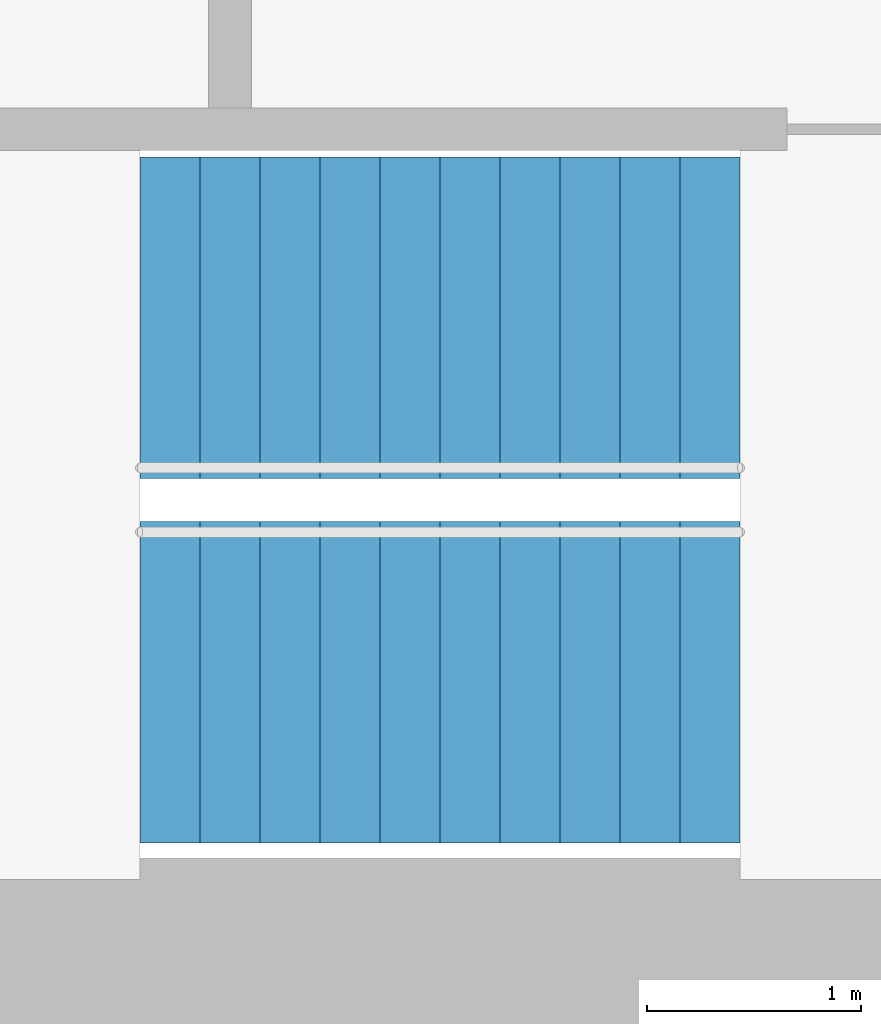
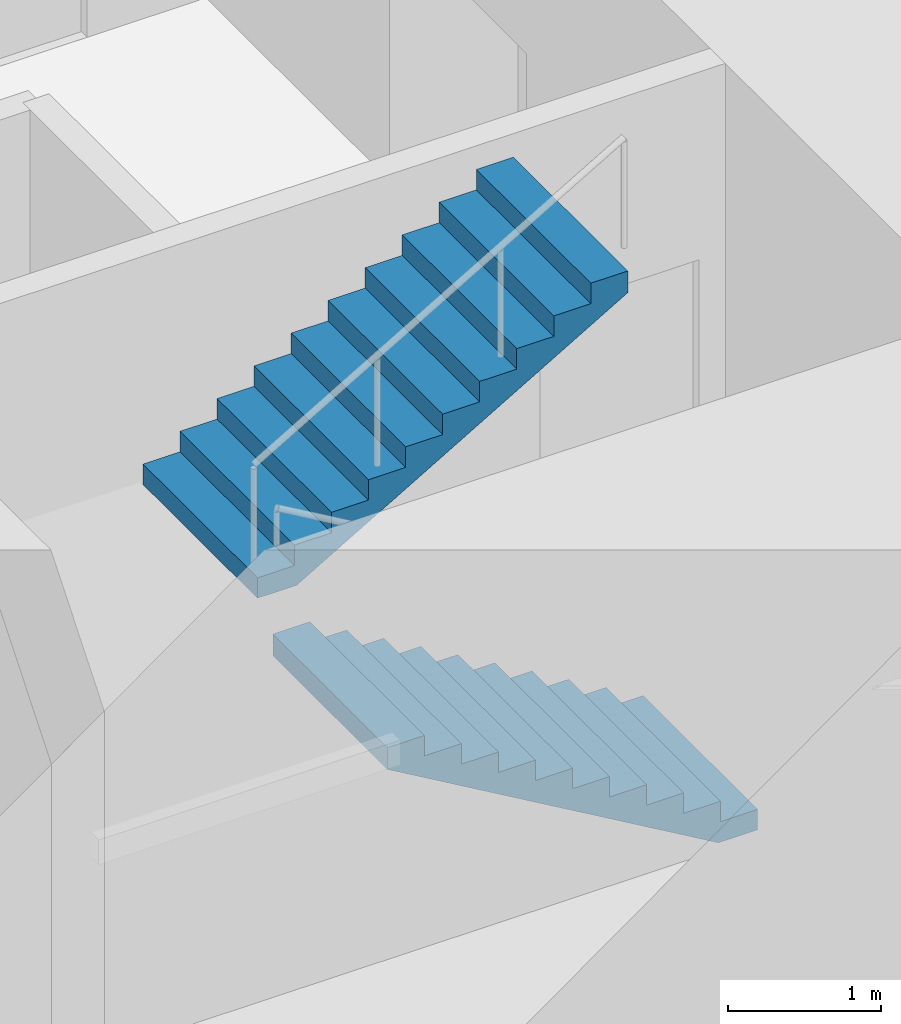
# One storey, part 14 of 15: 2 stair flights, 1 element without a shape of its own.
"""IFC4 building model written with IfcOpenShell, lengths in metres."""

from ifc_helpers import new_model, si_unit, direction, frame, origin, place, context, subcontext, project, spatial, triangles, material, type_object, element, aggregate, save


model = new_model("IFC4")

# Units and contexts
model_context = context("Model", 3, precision=1e-05, world=origin(), true_north=direction((0.0, 1.0)))
body_context = subcontext(model_context, "Body", "Model", "MODEL_VIEW")
ifc_project = project(units=[si_unit("LENGTHUNIT", "METRE"), si_unit("AREAUNIT", "SQUARE_METRE"), si_unit("VOLUMEUNIT", "CUBIC_METRE"), si_unit("PLANEANGLEUNIT", "RADIAN"), si_unit("MASSUNIT", "GRAM", prefix="KILO")], contexts=[model_context])

# Site, building, storey
site_placement = place(None, origin())
site = spatial("IfcSite", under=ifc_project, at=site_placement, CompositionType="ELEMENT")
building_placement = place(site_placement, origin())
building = spatial("IfcBuilding", under=site, at=building_placement, Name="Lantaw Convention Tower", CompositionType="ELEMENT")
storey_placement = place(building_placement, frame((0.0, 0.0, 73.0)))
storey = spatial("IfcBuildingStorey", under=building, at=storey_placement, Name="L16", CompositionType="ELEMENT", Elevation=73.0)

# Stair, stair flights
ifc_material = material(Name="Concrete C35/45", Category="concrete")
stair_type = type_object("IfcStairType", Name="Exit stair 1500 riser 163.64 in 2 flights", PredefinedType="HALF_TURN_STAIR", material=ifc_material)
stair_placement = place(storey_placement, origin())
stair = element("IfcStair", 1, at=stair_placement, inside=storey, type_object=stair_type, Name="Exit stair S2 L16", PredefinedType="HALF_TURN_STAIR")
stair_flight_type = type_object("IfcStairFlightType", Name="Stair flight 1500 riser 163.64", PredefinedType="STRAIGHT", material=ifc_material)
stair_flight_1_placement = place(storey_placement, frame((10.580078125, -5.97998046875, 0.0), z_axis=(0.0, 0.0, 1.0), x_axis=(-1.0, 0.0, 0.0)))
stair_flight_1 = element("IfcStairFlight", 2, at=stair_flight_1_placement, type_object=stair_flight_type, Name="S2 flight 1", NumberOfRisers=11, NumberOfTreads=10, PredefinedType="STRAIGHT", RiserHeight=0.163636364, TreadLength=0.28, context=body_context, shape_type="Tessellation", body=[
    triangles([(0.0, 0.75, 0.0), (0.0, 0.75, 0.163636364), (0.28, 0.75, 0.0), (0.28, 0.75, 0.163636364), (0.28, 0.75, 0.327272728), (0.2970904571225277, 0.75, 0.0), (0.2970904571225277, 0.75, 0.327272728), (0.56, 0.75, 0.1536484344906131), (0.56, 0.75, 0.327272728), (0.56, 0.75, 0.490909092), (0.8400000000000001, 0.75, 0.3172847984906131), (0.8400000000000001, 0.75, 0.490909092), (0.8400000000000001, 0.75, 0.654545456), (1.12, 0.75, 0.4809211624906131), (1.12, 0.75, 0.654545456), (1.12, 0.75, 0.8181818200000001), (1.4000000000000001, 0.75, 0.6445575264906132), (1.4000000000000001, 0.75, 0.8181818200000001), (1.4000000000000001, 0.75, 0.981818184), (1.6800000000000002, 0.75, 0.8081938904906131), (1.6800000000000002, 0.75, 0.981818184), (1.6800000000000002, 0.75, 1.145454548), (1.9600000000000002, 0.75, 0.9718302544906131), (1.9600000000000002, 0.75, 1.145454548), (1.9600000000000002, 0.75, 1.309090912), (2.24, 0.75, 1.135466618490613), (2.24, 0.75, 1.309090912), (2.24, 0.75, 1.472727276), (2.5200000000000005, 0.75, 1.2991029824906133), (2.5200000000000005, 0.75, 1.472727276), (2.5200000000000005, 0.75, 1.6363636400000001), (2.8000000000000003, 0.75, 1.462739346490613), (2.8000000000000003, 0.75, 1.6363636400000001), (0.0, -0.75, 0.0), (0.0, -0.75, 0.163636364), (0.28, -0.75, 0.0), (0.28, -0.75, 0.163636364), (0.28, -0.75, 0.327272728), (0.2970904571225277, -0.75, 0.0), (0.2970904571225277, -0.75, 0.327272728), (0.56, -0.75, 0.1536484344906131), (0.56, -0.75, 0.327272728), (0.56, -0.75, 0.490909092), (0.8400000000000001, -0.75, 0.3172847984906131), (0.8400000000000001, -0.75, 0.490909092), (0.8400000000000001, -0.75, 0.654545456), (1.12, -0.75, 0.4809211624906131), (1.12, -0.75, 0.654545456), (1.12, -0.75, 0.8181818200000001), (1.4000000000000001, -0.75, 0.6445575264906132), (1.4000000000000001, -0.75, 0.8181818200000001), (1.4000000000000001, -0.75, 0.981818184), (1.6800000000000002, -0.75, 0.8081938904906131), (1.6800000000000002, -0.75, 0.981818184), (1.6800000000000002, -0.75, 1.145454548), (1.9600000000000002, -0.75, 0.9718302544906131), (1.9600000000000002, -0.75, 1.145454548), (1.9600000000000002, -0.75, 1.309090912), (2.24, -0.75, 1.135466618490613), (2.24, -0.75, 1.309090912), (2.24, -0.75, 1.472727276), (2.5200000000000005, -0.75, 1.2991029824906133), (2.5200000000000005, -0.75, 1.472727276), (2.5200000000000005, -0.75, 1.6363636400000001), (2.8000000000000003, -0.75, 1.462739346490613), (2.8000000000000003, -0.75, 1.6363636400000001), (0.0, 0.15000000000000002, 0.163636364), (0.0, 0.15000000000000002, 0.0), (0.0, 0.0, 0.163636364), (0.0, 0.0, 0.0), (0.0, -0.15000000000000002, 0.163636364), (0.0, -0.15000000000000002, 0.0), (0.28, 0.15000000000000002, 0.327272728), (0.28, 0.15000000000000002, 0.163636364), (0.28, 0.0, 0.327272728), (0.28, 0.0, 0.163636364), (0.28, -0.15000000000000002, 0.327272728), (0.28, -0.15000000000000002, 0.163636364), (0.56, 0.15000000000000002, 0.490909092), (0.56, 0.15000000000000002, 0.327272728), (0.56, 0.0, 0.490909092), (0.56, 0.0, 0.327272728), (0.56, -0.15000000000000002, 0.490909092), (0.56, -0.15000000000000002, 0.327272728), (0.8400000000000001, 0.15000000000000002, 0.654545456), (0.8400000000000001, 0.15000000000000002, 0.490909092), (0.8400000000000001, 0.0, 0.654545456), (0.8400000000000001, 0.0, 0.490909092), (0.8400000000000001, -0.15000000000000002, 0.654545456), (0.8400000000000001, -0.15000000000000002, 0.490909092), (1.12, 0.15000000000000002, 0.8181818200000001), (1.12, 0.15000000000000002, 0.654545456), (1.12, 0.0, 0.8181818200000001), (1.12, 0.0, 0.654545456), (1.12, -0.15000000000000002, 0.8181818200000001), (1.12, -0.15000000000000002, 0.654545456), (1.4000000000000001, 0.15000000000000002, 0.981818184), (1.4000000000000001, 0.15000000000000002, 0.8181818200000001), (1.4000000000000001, 0.0, 0.981818184), (1.4000000000000001, 0.0, 0.8181818200000001), (1.4000000000000001, -0.15000000000000002, 0.981818184), (1.4000000000000001, -0.15000000000000002, 0.8181818200000001), (1.6800000000000002, 0.15000000000000002, 1.145454548), (1.6800000000000002, 0.15000000000000002, 0.981818184), (1.6800000000000002, 0.0, 1.145454548), (1.6800000000000002, 0.0, 0.981818184), (1.6800000000000002, -0.15000000000000002, 1.145454548), (1.6800000000000002, -0.15000000000000002, 0.981818184), (1.9600000000000002, 0.15000000000000002, 1.309090912), (1.9600000000000002, 0.15000000000000002, 1.145454548), (1.9600000000000002, 0.0, 1.309090912), (1.9600000000000002, 0.0, 1.145454548), (1.9600000000000002, -0.15000000000000002, 1.309090912), (1.9600000000000002, -0.15000000000000002, 1.145454548), (2.24, 0.15000000000000002, 1.472727276), (2.24, 0.15000000000000002, 1.309090912), (2.24, 0.0, 1.472727276), (2.24, 0.0, 1.309090912), (2.24, -0.15000000000000002, 1.472727276), (2.24, -0.15000000000000002, 1.309090912), (2.5200000000000005, 0.15000000000000002, 1.6363636400000001), (2.5200000000000005, 0.15000000000000002, 1.472727276), (2.5200000000000005, 0.0, 1.6363636400000001), (2.5200000000000005, 0.0, 1.472727276), (2.5200000000000005, -0.15000000000000002, 1.6363636400000001), (2.5200000000000005, -0.15000000000000002, 1.472727276), (0.2970904571225277, 0.15000000000000002, 0.327272728), (0.2970904571225277, 0.0, 0.327272728), (0.2970904571225277, -0.15000000000000002, 0.327272728), (2.8000000000000003, 0.15000000000000002, 1.6363636400000001), (2.8000000000000003, 0.0, 1.6363636400000001), (2.8000000000000003, -0.15000000000000002, 1.6363636400000001), (2.8000000000000003, 0.15000000000000002, 1.462739346490613), (2.8000000000000003, 0.0, 1.462739346490613), (2.8000000000000003, -0.15000000000000002, 1.462739346490613), (2.5200000000000005, 0.15000000000000002, 1.2991029824906133), (2.5200000000000005, 0.0, 1.2991029824906133), (2.5200000000000005, -0.15000000000000002, 1.2991029824906133), (2.24, 0.15000000000000002, 1.135466618490613), (2.24, 0.0, 1.135466618490613), (2.24, -0.15000000000000002, 1.135466618490613), (1.9600000000000002, 0.15000000000000002, 0.9718302544906131), (1.9600000000000002, 0.0, 0.9718302544906131), (1.9600000000000002, -0.15000000000000002, 0.9718302544906131), (1.6800000000000002, 0.15000000000000002, 0.8081938904906131), (1.6800000000000002, 0.0, 0.8081938904906131), (1.6800000000000002, -0.15000000000000002, 0.8081938904906131), (1.4000000000000001, 0.15000000000000002, 0.6445575264906132), (1.4000000000000001, 0.0, 0.6445575264906132), (1.4000000000000001, -0.15000000000000002, 0.6445575264906132), (1.12, 0.15000000000000002, 0.4809211624906131), (1.12, 0.0, 0.4809211624906131), (1.12, -0.15000000000000002, 0.4809211624906131), (0.8400000000000001, 0.15000000000000002, 0.3172847984906131), (0.8400000000000001, 0.0, 0.3172847984906131), (0.8400000000000001, -0.15000000000000002, 0.3172847984906131), (0.56, 0.15000000000000002, 0.1536484344906131), (0.56, 0.0, 0.1536484344906131), (0.56, -0.15000000000000002, 0.1536484344906131), (0.2970904571225277, 0.15000000000000002, 0.0), (0.2970904571225277, 0.0, 0.0), (0.2970904571225277, -0.15000000000000002, 0.0), (0.28, 0.15000000000000002, 0.0), (0.28, 0.0, 0.0), (0.28, -0.15000000000000002, 0.0)], [[1, 4, 3], [1, 2, 4], [3, 4, 6], [4, 7, 6], [4, 5, 7], [6, 9, 8], [6, 7, 9], [8, 9, 11], [9, 12, 11], [9, 10, 12], [11, 12, 14], [12, 15, 14], [12, 13, 15], [14, 15, 17], [15, 18, 17], [15, 16, 18], [17, 18, 20], [18, 21, 20], [18, 19, 21], [20, 21, 23], [21, 24, 23], [21, 22, 24], [23, 24, 26], [24, 27, 26], [24, 25, 27], [26, 27, 29], [27, 30, 29], [27, 28, 30], [29, 30, 32], [30, 33, 32], [30, 31, 33], [34, 36, 37], [34, 37, 35], [36, 39, 37], [37, 39, 40], [37, 40, 38], [39, 41, 42], [39, 42, 40], [41, 44, 42], [42, 44, 45], [42, 45, 43], [44, 47, 45], [45, 47, 48], [45, 48, 46], [47, 50, 48], [48, 50, 51], [48, 51, 49], [50, 53, 51], [51, 53, 54], [51, 54, 52], [53, 56, 54], [54, 56, 57], [54, 57, 55], [56, 59, 57], [57, 59, 60], [57, 60, 58], [59, 62, 60], [60, 62, 63], [60, 63, 61], [62, 65, 63], [63, 65, 66], [63, 66, 64], [1, 67, 2], [1, 68, 67], [68, 69, 67], [68, 70, 69], [70, 71, 69], [70, 72, 71], [72, 35, 71], [72, 34, 35], [4, 73, 5], [4, 74, 73], [74, 75, 73], [74, 76, 75], [76, 77, 75], [76, 78, 77], [78, 38, 77], [78, 37, 38], [9, 79, 10], [9, 80, 79], [80, 81, 79], [80, 82, 81], [82, 83, 81], [82, 84, 83], [84, 43, 83], [84, 42, 43], [12, 85, 13], [12, 86, 85], [86, 87, 85], [86, 88, 87], [88, 89, 87], [88, 90, 89], [90, 46, 89], [90, 45, 46], [15, 91, 16], [15, 92, 91], [92, 93, 91], [92, 94, 93], [94, 95, 93], [94, 96, 95], [96, 49, 95], [96, 48, 49], [18, 97, 19], [18, 98, 97], [98, 99, 97], [98, 100, 99], [100, 101, 99], [100, 102, 101], [102, 52, 101], [102, 51, 52], [21, 103, 22], [21, 104, 103], [104, 105, 103], [104, 106, 105], [106, 107, 105], [106, 108, 107], [108, 55, 107], [108, 54, 55], [24, 109, 25], [24, 110, 109], [110, 111, 109], [110, 112, 111], [112, 113, 111], [112, 114, 113], [114, 58, 113], [114, 57, 58], [27, 115, 28], [27, 116, 115], [116, 117, 115], [116, 118, 117], [118, 119, 117], [118, 120, 119], [120, 61, 119], [120, 60, 61], [30, 121, 31], [30, 122, 121], [122, 123, 121], [122, 124, 123], [124, 125, 123], [124, 126, 125], [126, 64, 125], [126, 63, 64], [2, 74, 4], [2, 67, 74], [67, 76, 74], [67, 69, 76], [69, 78, 76], [69, 71, 78], [71, 37, 78], [71, 35, 37], [5, 127, 7], [5, 73, 127], [73, 128, 127], [73, 75, 128], [75, 129, 128], [75, 77, 129], [77, 40, 129], [77, 38, 40], [7, 80, 9], [7, 127, 80], [127, 82, 80], [127, 128, 82], [128, 84, 82], [128, 129, 84], [129, 42, 84], [129, 40, 42], [10, 86, 12], [10, 79, 86], [79, 88, 86], [79, 81, 88], [81, 90, 88], [81, 83, 90], [83, 45, 90], [83, 43, 45], [13, 92, 15], [13, 85, 92], [85, 94, 92], [85, 87, 94], [87, 96, 94], [87, 89, 96], [89, 48, 96], [89, 46, 48], [16, 98, 18], [16, 91, 98], [91, 100, 98], [91, 93, 100], [93, 102, 100], [93, 95, 102], [95, 51, 102], [95, 49, 51], [19, 104, 21], [19, 97, 104], [97, 106, 104], [97, 99, 106], [99, 108, 106], [99, 101, 108], [101, 54, 108], [101, 52, 54], [22, 110, 24], [22, 103, 110], [103, 112, 110], [103, 105, 112], [105, 114, 112], [105, 107, 114], [107, 57, 114], [107, 55, 57], [25, 116, 27], [25, 109, 116], [109, 118, 116], [109, 111, 118], [111, 120, 118], [111, 113, 120], [113, 60, 120], [113, 58, 60], [28, 122, 30], [28, 115, 122], [115, 124, 122], [115, 117, 124], [117, 126, 124], [117, 119, 126], [119, 63, 126], [119, 61, 63], [31, 130, 33], [31, 121, 130], [121, 131, 130], [121, 123, 131], [123, 132, 131], [123, 125, 132], [125, 66, 132], [125, 64, 66], [33, 133, 32], [33, 130, 133], [130, 134, 133], [130, 131, 134], [131, 135, 134], [131, 132, 135], [132, 65, 135], [132, 66, 65], [32, 136, 29], [32, 133, 136], [133, 137, 136], [133, 134, 137], [134, 138, 137], [134, 135, 138], [135, 62, 138], [135, 65, 62], [29, 139, 26], [29, 136, 139], [136, 140, 139], [136, 137, 140], [137, 141, 140], [137, 138, 141], [138, 59, 141], [138, 62, 59], [26, 142, 23], [26, 139, 142], [139, 143, 142], [139, 140, 143], [140, 144, 143], [140, 141, 144], [141, 56, 144], [141, 59, 56], [23, 145, 20], [23, 142, 145], [142, 146, 145], [142, 143, 146], [143, 147, 146], [143, 144, 147], [144, 53, 147], [144, 56, 53], [20, 148, 17], [20, 145, 148], [145, 149, 148], [145, 146, 149], [146, 150, 149], [146, 147, 150], [147, 50, 150], [147, 53, 50], [17, 151, 14], [17, 148, 151], [148, 152, 151], [148, 149, 152], [149, 153, 152], [149, 150, 153], [150, 47, 153], [150, 50, 47], [14, 154, 11], [14, 151, 154], [151, 155, 154], [151, 152, 155], [152, 156, 155], [152, 153, 156], [153, 44, 156], [153, 47, 44], [11, 157, 8], [11, 154, 157], [154, 158, 157], [154, 155, 158], [155, 159, 158], [155, 156, 159], [156, 41, 159], [156, 44, 41], [8, 160, 6], [8, 157, 160], [157, 161, 160], [157, 158, 161], [158, 162, 161], [158, 159, 162], [159, 39, 162], [159, 41, 39], [6, 163, 3], [6, 160, 163], [160, 164, 163], [160, 161, 164], [161, 165, 164], [161, 162, 165], [162, 36, 165], [162, 39, 36], [3, 68, 1], [3, 163, 68], [163, 70, 68], [163, 164, 70], [164, 72, 70], [164, 165, 72], [165, 34, 72], [165, 36, 34]], closed=True),
])
stair_flight_2_placement = place(storey_placement, frame((7.780029296875, -4.280029296875, 1.800048828125), z_axis=(0.0, 0.0, 1.0), x_axis=(1.0, 0.0, 0.0)))
stair_flight_2 = element("IfcStairFlight", 3, at=stair_flight_2_placement, type_object=stair_flight_type, Name="S2 flight 2", NumberOfRisers=11, NumberOfTreads=10, PredefinedType="STRAIGHT", RiserHeight=0.163636364, TreadLength=0.28, context=body_context, shape_type="Tessellation", body=[
    triangles([(0.0, 0.75, 0.0), (0.0, 0.75, 0.163636364), (0.28, 0.75, 0.0), (0.28, 0.75, 0.163636364), (0.28, 0.75, 0.327272728), (0.2970904571225277, 0.75, 0.0), (0.2970904571225277, 0.75, 0.327272728), (0.56, 0.75, 0.1536484344906131), (0.56, 0.75, 0.327272728), (0.56, 0.75, 0.490909092), (0.8400000000000001, 0.75, 0.3172847984906131), (0.8400000000000001, 0.75, 0.490909092), (0.8400000000000001, 0.75, 0.654545456), (1.12, 0.75, 0.4809211624906131), (1.12, 0.75, 0.654545456), (1.12, 0.75, 0.8181818200000001), (1.4000000000000001, 0.75, 0.6445575264906132), (1.4000000000000001, 0.75, 0.8181818200000001), (1.4000000000000001, 0.75, 0.981818184), (1.6800000000000002, 0.75, 0.8081938904906131), (1.6800000000000002, 0.75, 0.981818184), (1.6800000000000002, 0.75, 1.145454548), (1.9600000000000002, 0.75, 0.9718302544906131), (1.9600000000000002, 0.75, 1.145454548), (1.9600000000000002, 0.75, 1.309090912), (2.24, 0.75, 1.135466618490613), (2.24, 0.75, 1.309090912), (2.24, 0.75, 1.472727276), (2.5200000000000005, 0.75, 1.2991029824906133), (2.5200000000000005, 0.75, 1.472727276), (2.5200000000000005, 0.75, 1.6363636400000001), (2.8000000000000003, 0.75, 1.462739346490613), (2.8000000000000003, 0.75, 1.6363636400000001), (0.0, -0.75, 0.0), (0.0, -0.75, 0.163636364), (0.28, -0.75, 0.0), (0.28, -0.75, 0.163636364), (0.28, -0.75, 0.327272728), (0.2970904571225277, -0.75, 0.0), (0.2970904571225277, -0.75, 0.327272728), (0.56, -0.75, 0.1536484344906131), (0.56, -0.75, 0.327272728), (0.56, -0.75, 0.490909092), (0.8400000000000001, -0.75, 0.3172847984906131), (0.8400000000000001, -0.75, 0.490909092), (0.8400000000000001, -0.75, 0.654545456), (1.12, -0.75, 0.4809211624906131), (1.12, -0.75, 0.654545456), (1.12, -0.75, 0.8181818200000001), (1.4000000000000001, -0.75, 0.6445575264906132), (1.4000000000000001, -0.75, 0.8181818200000001), (1.4000000000000001, -0.75, 0.981818184), (1.6800000000000002, -0.75, 0.8081938904906131), (1.6800000000000002, -0.75, 0.981818184), (1.6800000000000002, -0.75, 1.145454548), (1.9600000000000002, -0.75, 0.9718302544906131), (1.9600000000000002, -0.75, 1.145454548), (1.9600000000000002, -0.75, 1.309090912), (2.24, -0.75, 1.135466618490613), (2.24, -0.75, 1.309090912), (2.24, -0.75, 1.472727276), (2.5200000000000005, -0.75, 1.2991029824906133), (2.5200000000000005, -0.75, 1.472727276), (2.5200000000000005, -0.75, 1.6363636400000001), (2.8000000000000003, -0.75, 1.462739346490613), (2.8000000000000003, -0.75, 1.6363636400000001), (0.0, 0.15000000000000002, 0.163636364), (0.0, 0.15000000000000002, 0.0), (0.0, 0.0, 0.163636364), (0.0, 0.0, 0.0), (0.0, -0.15000000000000002, 0.163636364), (0.0, -0.15000000000000002, 0.0), (0.28, 0.15000000000000002, 0.327272728), (0.28, 0.15000000000000002, 0.163636364), (0.28, 0.0, 0.327272728), (0.28, 0.0, 0.163636364), (0.28, -0.15000000000000002, 0.327272728), (0.28, -0.15000000000000002, 0.163636364), (0.56, 0.15000000000000002, 0.490909092), (0.56, 0.15000000000000002, 0.327272728), (0.56, 0.0, 0.490909092), (0.56, 0.0, 0.327272728), (0.56, -0.15000000000000002, 0.490909092), (0.56, -0.15000000000000002, 0.327272728), (0.8400000000000001, 0.15000000000000002, 0.654545456), (0.8400000000000001, 0.15000000000000002, 0.490909092), (0.8400000000000001, 0.0, 0.654545456), (0.8400000000000001, 0.0, 0.490909092), (0.8400000000000001, -0.15000000000000002, 0.654545456), (0.8400000000000001, -0.15000000000000002, 0.490909092), (1.12, 0.15000000000000002, 0.8181818200000001), (1.12, 0.15000000000000002, 0.654545456), (1.12, 0.0, 0.8181818200000001), (1.12, 0.0, 0.654545456), (1.12, -0.15000000000000002, 0.8181818200000001), (1.12, -0.15000000000000002, 0.654545456), (1.4000000000000001, 0.15000000000000002, 0.981818184), (1.4000000000000001, 0.15000000000000002, 0.8181818200000001), (1.4000000000000001, 0.0, 0.981818184), (1.4000000000000001, 0.0, 0.8181818200000001), (1.4000000000000001, -0.15000000000000002, 0.981818184), (1.4000000000000001, -0.15000000000000002, 0.8181818200000001), (1.6800000000000002, 0.15000000000000002, 1.145454548), (1.6800000000000002, 0.15000000000000002, 0.981818184), (1.6800000000000002, 0.0, 1.145454548), (1.6800000000000002, 0.0, 0.981818184), (1.6800000000000002, -0.15000000000000002, 1.145454548), (1.6800000000000002, -0.15000000000000002, 0.981818184), (1.9600000000000002, 0.15000000000000002, 1.309090912), (1.9600000000000002, 0.15000000000000002, 1.145454548), (1.9600000000000002, 0.0, 1.309090912), (1.9600000000000002, 0.0, 1.145454548), (1.9600000000000002, -0.15000000000000002, 1.309090912), (1.9600000000000002, -0.15000000000000002, 1.145454548), (2.24, 0.15000000000000002, 1.472727276), (2.24, 0.15000000000000002, 1.309090912), (2.24, 0.0, 1.472727276), (2.24, 0.0, 1.309090912), (2.24, -0.15000000000000002, 1.472727276), (2.24, -0.15000000000000002, 1.309090912), (2.5200000000000005, 0.15000000000000002, 1.6363636400000001), (2.5200000000000005, 0.15000000000000002, 1.472727276), (2.5200000000000005, 0.0, 1.6363636400000001), (2.5200000000000005, 0.0, 1.472727276), (2.5200000000000005, -0.15000000000000002, 1.6363636400000001), (2.5200000000000005, -0.15000000000000002, 1.472727276), (0.2970904571225277, 0.15000000000000002, 0.327272728), (0.2970904571225277, 0.0, 0.327272728), (0.2970904571225277, -0.15000000000000002, 0.327272728), (2.8000000000000003, 0.15000000000000002, 1.6363636400000001), (2.8000000000000003, 0.0, 1.6363636400000001), (2.8000000000000003, -0.15000000000000002, 1.6363636400000001), (2.8000000000000003, 0.15000000000000002, 1.462739346490613), (2.8000000000000003, 0.0, 1.462739346490613), (2.8000000000000003, -0.15000000000000002, 1.462739346490613), (2.5200000000000005, 0.15000000000000002, 1.2991029824906133), (2.5200000000000005, 0.0, 1.2991029824906133), (2.5200000000000005, -0.15000000000000002, 1.2991029824906133), (2.24, 0.15000000000000002, 1.135466618490613), (2.24, 0.0, 1.135466618490613), (2.24, -0.15000000000000002, 1.135466618490613), (1.9600000000000002, 0.15000000000000002, 0.9718302544906131), (1.9600000000000002, 0.0, 0.9718302544906131), (1.9600000000000002, -0.15000000000000002, 0.9718302544906131), (1.6800000000000002, 0.15000000000000002, 0.8081938904906131), (1.6800000000000002, 0.0, 0.8081938904906131), (1.6800000000000002, -0.15000000000000002, 0.8081938904906131), (1.4000000000000001, 0.15000000000000002, 0.6445575264906132), (1.4000000000000001, 0.0, 0.6445575264906132), (1.4000000000000001, -0.15000000000000002, 0.6445575264906132), (1.12, 0.15000000000000002, 0.4809211624906131), (1.12, 0.0, 0.4809211624906131), (1.12, -0.15000000000000002, 0.4809211624906131), (0.8400000000000001, 0.15000000000000002, 0.3172847984906131), (0.8400000000000001, 0.0, 0.3172847984906131), (0.8400000000000001, -0.15000000000000002, 0.3172847984906131), (0.56, 0.15000000000000002, 0.1536484344906131), (0.56, 0.0, 0.1536484344906131), (0.56, -0.15000000000000002, 0.1536484344906131), (0.2970904571225277, 0.15000000000000002, 0.0), (0.2970904571225277, 0.0, 0.0), (0.2970904571225277, -0.15000000000000002, 0.0), (0.28, 0.15000000000000002, 0.0), (0.28, 0.0, 0.0), (0.28, -0.15000000000000002, 0.0)], [[1, 4, 3], [1, 2, 4], [3, 4, 6], [4, 7, 6], [4, 5, 7], [6, 9, 8], [6, 7, 9], [8, 9, 11], [9, 12, 11], [9, 10, 12], [11, 12, 14], [12, 15, 14], [12, 13, 15], [14, 15, 17], [15, 18, 17], [15, 16, 18], [17, 18, 20], [18, 21, 20], [18, 19, 21], [20, 21, 23], [21, 24, 23], [21, 22, 24], [23, 24, 26], [24, 27, 26], [24, 25, 27], [26, 27, 29], [27, 30, 29], [27, 28, 30], [29, 30, 32], [30, 33, 32], [30, 31, 33], [34, 36, 37], [34, 37, 35], [36, 39, 37], [37, 39, 40], [37, 40, 38], [39, 41, 42], [39, 42, 40], [41, 44, 42], [42, 44, 45], [42, 45, 43], [44, 47, 45], [45, 47, 48], [45, 48, 46], [47, 50, 48], [48, 50, 51], [48, 51, 49], [50, 53, 51], [51, 53, 54], [51, 54, 52], [53, 56, 54], [54, 56, 57], [54, 57, 55], [56, 59, 57], [57, 59, 60], [57, 60, 58], [59, 62, 60], [60, 62, 63], [60, 63, 61], [62, 65, 63], [63, 65, 66], [63, 66, 64], [1, 67, 2], [1, 68, 67], [68, 69, 67], [68, 70, 69], [70, 71, 69], [70, 72, 71], [72, 35, 71], [72, 34, 35], [4, 73, 5], [4, 74, 73], [74, 75, 73], [74, 76, 75], [76, 77, 75], [76, 78, 77], [78, 38, 77], [78, 37, 38], [9, 79, 10], [9, 80, 79], [80, 81, 79], [80, 82, 81], [82, 83, 81], [82, 84, 83], [84, 43, 83], [84, 42, 43], [12, 85, 13], [12, 86, 85], [86, 87, 85], [86, 88, 87], [88, 89, 87], [88, 90, 89], [90, 46, 89], [90, 45, 46], [15, 91, 16], [15, 92, 91], [92, 93, 91], [92, 94, 93], [94, 95, 93], [94, 96, 95], [96, 49, 95], [96, 48, 49], [18, 97, 19], [18, 98, 97], [98, 99, 97], [98, 100, 99], [100, 101, 99], [100, 102, 101], [102, 52, 101], [102, 51, 52], [21, 103, 22], [21, 104, 103], [104, 105, 103], [104, 106, 105], [106, 107, 105], [106, 108, 107], [108, 55, 107], [108, 54, 55], [24, 109, 25], [24, 110, 109], [110, 111, 109], [110, 112, 111], [112, 113, 111], [112, 114, 113], [114, 58, 113], [114, 57, 58], [27, 115, 28], [27, 116, 115], [116, 117, 115], [116, 118, 117], [118, 119, 117], [118, 120, 119], [120, 61, 119], [120, 60, 61], [30, 121, 31], [30, 122, 121], [122, 123, 121], [122, 124, 123], [124, 125, 123], [124, 126, 125], [126, 64, 125], [126, 63, 64], [2, 74, 4], [2, 67, 74], [67, 76, 74], [67, 69, 76], [69, 78, 76], [69, 71, 78], [71, 37, 78], [71, 35, 37], [5, 127, 7], [5, 73, 127], [73, 128, 127], [73, 75, 128], [75, 129, 128], [75, 77, 129], [77, 40, 129], [77, 38, 40], [7, 80, 9], [7, 127, 80], [127, 82, 80], [127, 128, 82], [128, 84, 82], [128, 129, 84], [129, 42, 84], [129, 40, 42], [10, 86, 12], [10, 79, 86], [79, 88, 86], [79, 81, 88], [81, 90, 88], [81, 83, 90], [83, 45, 90], [83, 43, 45], [13, 92, 15], [13, 85, 92], [85, 94, 92], [85, 87, 94], [87, 96, 94], [87, 89, 96], [89, 48, 96], [89, 46, 48], [16, 98, 18], [16, 91, 98], [91, 100, 98], [91, 93, 100], [93, 102, 100], [93, 95, 102], [95, 51, 102], [95, 49, 51], [19, 104, 21], [19, 97, 104], [97, 106, 104], [97, 99, 106], [99, 108, 106], [99, 101, 108], [101, 54, 108], [101, 52, 54], [22, 110, 24], [22, 103, 110], [103, 112, 110], [103, 105, 112], [105, 114, 112], [105, 107, 114], [107, 57, 114], [107, 55, 57], [25, 116, 27], [25, 109, 116], [109, 118, 116], [109, 111, 118], [111, 120, 118], [111, 113, 120], [113, 60, 120], [113, 58, 60], [28, 122, 30], [28, 115, 122], [115, 124, 122], [115, 117, 124], [117, 126, 124], [117, 119, 126], [119, 63, 126], [119, 61, 63], [31, 130, 33], [31, 121, 130], [121, 131, 130], [121, 123, 131], [123, 132, 131], [123, 125, 132], [125, 66, 132], [125, 64, 66], [33, 133, 32], [33, 130, 133], [130, 134, 133], [130, 131, 134], [131, 135, 134], [131, 132, 135], [132, 65, 135], [132, 66, 65], [32, 136, 29], [32, 133, 136], [133, 137, 136], [133, 134, 137], [134, 138, 137], [134, 135, 138], [135, 62, 138], [135, 65, 62], [29, 139, 26], [29, 136, 139], [136, 140, 139], [136, 137, 140], [137, 141, 140], [137, 138, 141], [138, 59, 141], [138, 62, 59], [26, 142, 23], [26, 139, 142], [139, 143, 142], [139, 140, 143], [140, 144, 143], [140, 141, 144], [141, 56, 144], [141, 59, 56], [23, 145, 20], [23, 142, 145], [142, 146, 145], [142, 143, 146], [143, 147, 146], [143, 144, 147], [144, 53, 147], [144, 56, 53], [20, 148, 17], [20, 145, 148], [145, 149, 148], [145, 146, 149], [146, 150, 149], [146, 147, 150], [147, 50, 150], [147, 53, 50], [17, 151, 14], [17, 148, 151], [148, 152, 151], [148, 149, 152], [149, 153, 152], [149, 150, 153], [150, 47, 153], [150, 50, 47], [14, 154, 11], [14, 151, 154], [151, 155, 154], [151, 152, 155], [152, 156, 155], [152, 153, 156], [153, 44, 156], [153, 47, 44], [11, 157, 8], [11, 154, 157], [154, 158, 157], [154, 155, 158], [155, 159, 158], [155, 156, 159], [156, 41, 159], [156, 44, 41], [8, 160, 6], [8, 157, 160], [157, 161, 160], [157, 158, 161], [158, 162, 161], [158, 159, 162], [159, 39, 162], [159, 41, 39], [6, 163, 3], [6, 160, 163], [160, 164, 163], [160, 161, 164], [161, 165, 164], [161, 162, 165], [162, 36, 165], [162, 39, 36], [3, 68, 1], [3, 163, 68], [163, 70, 68], [163, 164, 70], [164, 72, 70], [164, 165, 72], [165, 34, 72], [165, 36, 34]], closed=True),
])
aggregate(stair, [stair_flight_1, stair_flight_2])

save(model, "model.ifc")
